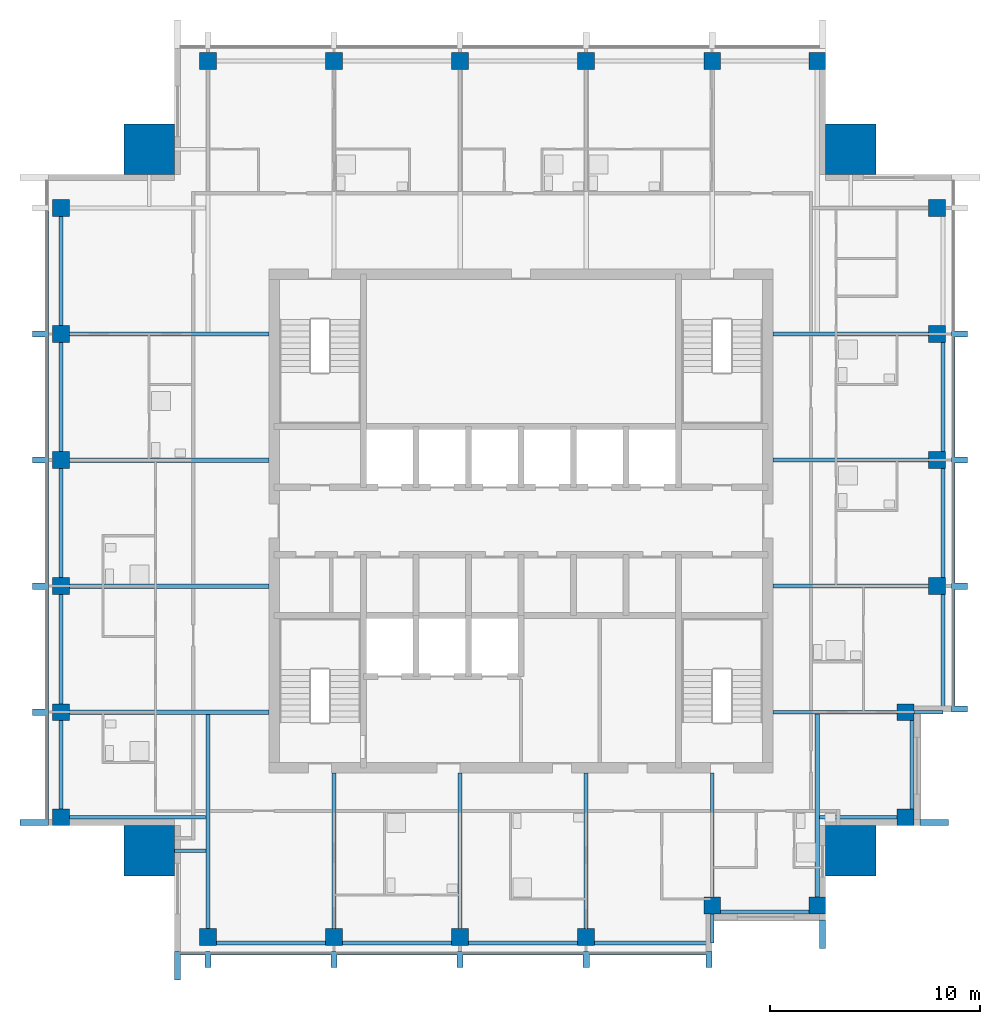
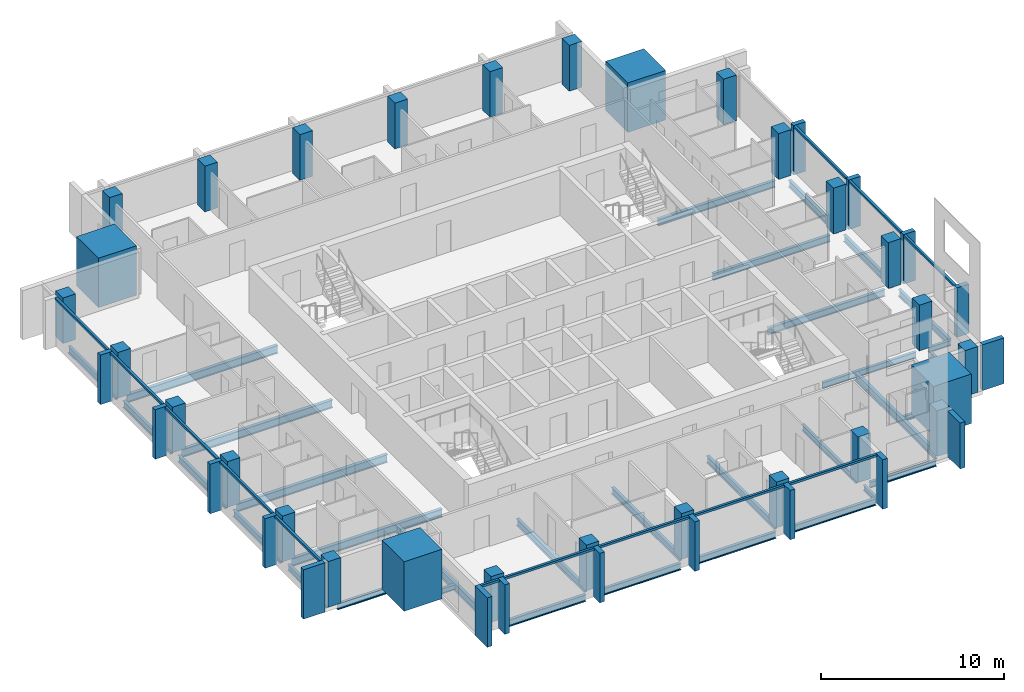
# One storey, part 1 of 9: 33 beams, 30 members, 28 columns, 3 elements without a shape of their own.
"""IFC4 building model written with IfcOpenShell, lengths in metres."""

from ifc_helpers import new_model, si_unit, direction, frame, origin, origin_2d, place, context, subcontext, project, spatial, rectangle, i_section, extrude, material, material_profile, profile_set, type_object, element, aggregate, save


model = new_model("IFC4")

# Units and contexts
model_context = context("Model", 3, precision=1e-05, world=origin(), true_north=direction((0.0, 1.0)))
body_context = subcontext(model_context, "Body", "Model", "MODEL_VIEW")
ifc_project = project(units=[si_unit("LENGTHUNIT", "METRE"), si_unit("AREAUNIT", "SQUARE_METRE"), si_unit("VOLUMEUNIT", "CUBIC_METRE"), si_unit("PLANEANGLEUNIT", "RADIAN"), si_unit("MASSUNIT", "GRAM", prefix="KILO")], contexts=[model_context])

# Site, building, storey
site_placement = place(None, origin())
site = spatial("IfcSite", under=ifc_project, at=site_placement, CompositionType="ELEMENT")
building_placement = place(site_placement, origin())
building = spatial("IfcBuilding", under=site, at=building_placement, Name="Amberfall Residences", CompositionType="ELEMENT")
storey_placement = place(building_placement, frame((0.0, 0.0, 258.699951171875)))
storey = spatial("IfcBuildingStorey", under=building, at=storey_placement, Name="L69", CompositionType="ELEMENT", Elevation=258.699951171875)

# Columns
ifc_material_1 = material(Name="Concrete C50", Category="concrete")
ifc_material_profile_1 = material_profile(ifc_material_1, rectangle(XDim=0.800048828125, YDim=0.800048828125, at=origin_2d()), Name="Column 800 x 800 C50")
ifc_profile_set_1 = profile_set([ifc_material_profile_1], Name="Concrete C50")
column_type_1 = type_object("IfcColumnType", Name="Column 800 x 800 C50", PredefinedType="COLUMN", material=ifc_profile_set_1)
for number, where, z_axis, x_axis, name in (
    (1, (59.60009765625, 25.699951171875, 0.0), (0.0, 0.0, 1.0), (1.0, 0.0, 0.0), "Column C5 L69 S1"),
    (2, (65.60009765625, 25.699951171875, 0.0), (0.0, 0.0, 1.0), (1.0, 0.0, 0.0), "Column C5 L69 S2"),
    (3, (71.60009765625, 25.699951171875, 0.0), (0.0, 0.0, 1.0), (1.0, 0.0, 0.0), "Column C5 L69 S3"),
    (4, (77.60009765625, 25.699951171875, 0.0), (0.0, 0.0, 1.0), (1.0, 0.0, 0.0), "Column C5 L69 S4"),
    (5, (83.60009765625, 27.199951171875, 0.0), (0.0, 0.0, 1.0), (1.0, 0.0, 0.0), "Column C5 L69 S5"),
    (6, (88.60009765625, 27.199951171875, 0.0), (0.0, 0.0, 1.0), (1.0, 0.0, 0.0), "Column C5 L69 S6"),
    (7, (92.800048828125, 31.39990234375, 0.0), (0.0, 0.0, 1.0), (1.0, 0.0, 0.0), "Column C5 L69 E1"),
    (8, (92.800048828125, 36.39990234375, 0.0), (0.0, 0.0, 1.0), (1.0, 0.0, 0.0), "Column C5 L69 E2"),
    (9, (94.300048828125, 42.39990234375, 0.0), (0.0, 0.0, 1.0), (1.0, 0.0, 0.0), "Column C5 L69 E3"),
    (10, (94.300048828125, 48.39990234375, 0.0), (0.0, 0.0, 1.0), (1.0, 0.0, 0.0), "Column C5 L69 E4"),
    (11, (94.300048828125, 54.39990234375, 0.0), (0.0, 0.0, 1.0), (1.0, 0.0, 0.0), "Column C5 L69 E5"),
    (12, (94.300048828125, 60.39990234375, 0.0), (0.0, 0.0, 1.0), (1.0, 0.0, 0.0), "Column C5 L69 E6"),
    (13, (59.60009765625, 67.39990234375, 0.0), (0.0, 0.0, 1.0), (1.0, 0.0, 0.0), "Column C5 L69 N1"),
    (14, (65.60009765625, 67.39990234375, 0.0), (0.0, 0.0, 1.0), (1.0, 0.0, 0.0), "Column C5 L69 N2"),
    (15, (71.60009765625, 67.39990234375, 0.0), (0.0, 0.0, 1.0), (1.0, 0.0, 0.0), "Column C5 L69 N3"),
    (16, (77.60009765625, 67.39990234375, 0.0), (0.0, 0.0, 1.0), (1.0, 0.0, 0.0), "Column C5 L69 N4"),
    (17, (83.60009765625, 67.39990234375, 0.0), (0.0, 0.0, 1.0), (1.0, 0.0, 0.0), "Column C5 L69 N5"),
    (18, (88.60009765625, 67.39990234375, 0.0), (0.0, 0.0, 1.0), (1.0, 0.0, 0.0), "Column C5 L69 N6"),
    (19, (52.60009765625, 31.39990234375, 0.0), (0.0, 0.0, 1.0), (1.0, 0.0, 0.0), "Column C5 L69 W1"),
    (20, (52.60009765625, 36.39990234375, 0.0), (0.0, 0.0, 1.0), (1.0, 0.0, 0.0), "Column C5 L69 W2"),
    (21, (52.60009765625, 42.39990234375, 0.0), (0.0, 0.0, 1.0), (1.0, 0.0, 0.0), "Column C5 L69 W3"),
    (22, (52.60009765625, 48.39990234375, 0.0), (0.0, 0.0, 1.0), (1.0, 0.0, 0.0), "Column C5 L69 W4"),
    (23, (52.60009765625, 54.39990234375, 0.0), (0.0, 0.0, 1.0), (1.0, 0.0, 0.0), "Column C5 L69 W5"),
    (24, (52.60009765625, 60.39990234375, 0.0), (0.0, 0.0, 1.0), (1.0, 0.0, 0.0), "Column C5 L69 W6"),
):
    element("IfcColumn", number, at=place(storey_placement, frame(where, z_axis=z_axis, x_axis=x_axis)), inside=storey, type_object=column_type_1, Name=name, PredefinedType="COLUMN", context=body_context, shape_type="SweptSolid", body=[
        extrude(rectangle(XDim=0.800048828125, YDim=0.800048828125, at=origin_2d()), origin(), (0.0, 0.0, 1.0), 3.050048828125),
    ])
ifc_material_profile_2 = material_profile(ifc_material_1, rectangle(XDim=2.39990234375, YDim=2.39990234375, at=origin_2d()), Name="Mega column 2400 x 2400 C50")
ifc_profile_set_2 = profile_set([ifc_material_profile_2], Name="Concrete C50")
column_type_2 = type_object("IfcColumnType", Name="Mega column 2400 x 2400 C50", PredefinedType="COLUMN", material=ifc_profile_set_2)
for number, where, z_axis, x_axis, name in (
    (25, (56.800048828125, 29.800048828125, 0.0), (0.0, 0.0, 1.0), (1.0, 0.0, 0.0), "Mega column MC11 L69 SW"),
    (26, (90.199951171875, 29.800048828125, 0.0), (0.0, 0.0, 1.0), (1.0, 0.0, 0.0), "Mega column MC11 L69 SE"),
    (27, (90.199951171875, 63.199951171875, 0.0), (0.0, 0.0, 1.0), (1.0, 0.0, 0.0), "Mega column MC11 L69 NE"),
    (28, (56.800048828125, 63.199951171875, 0.0), (0.0, 0.0, 1.0), (1.0, 0.0, 0.0), "Mega column MC11 L69 NW"),
):
    element("IfcColumn", number, at=place(storey_placement, frame(where, z_axis=z_axis, x_axis=x_axis)), inside=storey, type_object=column_type_2, Name=name, PredefinedType="COLUMN", context=body_context, shape_type="SweptSolid", body=[
        extrude(rectangle(XDim=2.39990234375, YDim=2.39990234375, at=origin_2d()), origin(), (0.0, 0.0, 1.0), 3.300048828125),
    ])

# Curtain wall, members
ifc_material_2 = material(Name="Bronze anodised aluminium and glass", Category="aluminium")
curtain_wall_type = type_object("IfcCurtainWallType", Name="Curtain wall CW1 tower unit", PredefinedType="USERDEFINED", material=ifc_material_2)
curtain_wall_1_placement = place(storey_placement, origin())
curtain_wall_1 = element("IfcCurtainWall", 29, at=curtain_wall_1_placement, inside=storey, type_object=curtain_wall_type, Name="Curtain wall L69 S S1", ObjectType="UNITISED CURTAIN WALL", PredefinedType="USERDEFINED")
ifc_material_3 = material(Name="Bronze anodised aluminium", Category="aluminium")
ifc_material_profile_3 = material_profile(ifc_material_3, rectangle(XDim=0.14990234375, YDim=0.14990234375, at=origin_2d()), Name="CW1 transom 150 x 150 bronze")
ifc_profile_set_3 = profile_set([ifc_material_profile_3], Name="Bronze anodised aluminium")
member_type_1 = type_object("IfcMemberType", Name="CW1 transom 150 x 150 bronze", PredefinedType="USERDEFINED", material=ifc_profile_set_3)
member_1_placement = place(storey_placement, frame((58.300048828125, 24.925048828125, 2.97509765625), z_axis=(1.0, 0.0, 0.0), x_axis=(0.0, 1.0, 0.0)))
member_1 = element("IfcMember", 30, at=member_1_placement, type_object=member_type_1, Name="CW1 transom 1.1", ObjectType="TRANSOM", PredefinedType="USERDEFINED", context=body_context, shape_type="SweptSolid", body=[
    extrude(rectangle(XDim=0.14990234375, YDim=0.14990234375, at=origin_2d()), origin(), (0.0, 0.0, 1.0), 1.14990234375),
])
member_2_placement = place(storey_placement, frame((59.75, 24.925048828125, 2.97509765625), z_axis=(1.0, 0.0, 0.0), x_axis=(0.0, 1.0, 0.0)))
member_2 = element("IfcMember", 31, at=member_2_placement, type_object=member_type_1, Name="CW1 transom 2.1", ObjectType="TRANSOM", PredefinedType="USERDEFINED", context=body_context, shape_type="SweptSolid", body=[
    extrude(rectangle(XDim=0.14990234375, YDim=0.14990234375, at=origin_2d()), origin(), (0.0, 0.0, 1.0), 5.699951171875),
])
member_3_placement = place(storey_placement, frame((65.75, 24.925048828125, 2.97509765625), z_axis=(1.0, 0.0, 0.0), x_axis=(0.0, 1.0, 0.0)))
member_3 = element("IfcMember", 32, at=member_3_placement, type_object=member_type_1, Name="CW1 transom 3.1", ObjectType="TRANSOM", PredefinedType="USERDEFINED", context=body_context, shape_type="SweptSolid", body=[
    extrude(rectangle(XDim=0.14990234375, YDim=0.14990234375, at=origin_2d()), origin(), (0.0, 0.0, 1.0), 5.699951171875),
])
member_4_placement = place(storey_placement, frame((71.75, 24.925048828125, 2.97509765625), z_axis=(1.0, 0.0, 0.0), x_axis=(0.0, 1.0, 0.0)))
member_4 = element("IfcMember", 33, at=member_4_placement, type_object=member_type_1, Name="CW1 transom 4.1", ObjectType="TRANSOM", PredefinedType="USERDEFINED", context=body_context, shape_type="SweptSolid", body=[
    extrude(rectangle(XDim=0.14990234375, YDim=0.14990234375, at=origin_2d()), origin(), (0.0, 0.0, 1.0), 5.699951171875),
])
member_5_placement = place(storey_placement, frame((77.75, 24.925048828125, 2.97509765625), z_axis=(1.0, 0.0, 0.0), x_axis=(0.0, 1.0, 0.0)))
member_5 = element("IfcMember", 34, at=member_5_placement, type_object=member_type_1, Name="CW1 transom 5.1", ObjectType="TRANSOM", PredefinedType="USERDEFINED", context=body_context, shape_type="SweptSolid", body=[
    extrude(rectangle(XDim=0.14990234375, YDim=0.14990234375, at=origin_2d()), origin(), (0.0, 0.0, 1.0), 5.550048828125),
])

curtain_wall_2_placement = place(storey_placement, origin())
curtain_wall_2 = element("IfcCurtainWall", 35, at=curtain_wall_2_placement, inside=storey, type_object=curtain_wall_type, Name="Curtain wall L69 E E3", ObjectType="UNITISED CURTAIN WALL", PredefinedType="USERDEFINED")
member_6_placement = place(storey_placement, frame((95.074951171875, 36.699951171875, 2.97509765625), z_axis=(0.0, 1.0, 0.0), x_axis=(-1.0, 0.0, 0.0)))
member_6 = element("IfcMember", 36, at=member_6_placement, type_object=member_type_1, Name="CW1 transom 1.1", ObjectType="TRANSOM", PredefinedType="USERDEFINED", context=body_context, shape_type="SweptSolid", body=[
    extrude(rectangle(XDim=0.14990234375, YDim=0.14990234375, at=origin_2d()), origin(), (0.0, 0.0, 1.0), 5.550048828125),
])
member_7_placement = place(storey_placement, frame((95.074951171875, 42.550048828125, 2.97509765625), z_axis=(0.0, 1.0, 0.0), x_axis=(-1.0, 0.0, 0.0)))
member_7 = element("IfcMember", 37, at=member_7_placement, type_object=member_type_1, Name="CW1 transom 2.1", ObjectType="TRANSOM", PredefinedType="USERDEFINED", context=body_context, shape_type="SweptSolid", body=[
    extrude(rectangle(XDim=0.14990234375, YDim=0.14990234375, at=origin_2d()), origin(), (0.0, 0.0, 1.0), 5.699951171875),
])
member_8_placement = place(storey_placement, frame((95.074951171875, 48.550048828125, 2.97509765625), z_axis=(0.0, 1.0, 0.0), x_axis=(-1.0, 0.0, 0.0)))
member_8 = element("IfcMember", 38, at=member_8_placement, type_object=member_type_1, Name="CW1 transom 3.1", ObjectType="TRANSOM", PredefinedType="USERDEFINED", context=body_context, shape_type="SweptSolid", body=[
    extrude(rectangle(XDim=0.14990234375, YDim=0.14990234375, at=origin_2d()), origin(), (0.0, 0.0, 1.0), 5.699951171875),
])

curtain_wall_3_placement = place(storey_placement, origin())
curtain_wall_3 = element("IfcCurtainWall", 39, at=curtain_wall_3_placement, inside=storey, type_object=curtain_wall_type, Name="Curtain wall L69 W W1", ObjectType="UNITISED CURTAIN WALL", PredefinedType="USERDEFINED")
member_9_placement = place(storey_placement, frame((51.925048828125, 60.25, 2.97509765625), z_axis=(0.0, -1.0, 0.0), x_axis=(1.0, 0.0, 0.0)))
member_9 = element("IfcMember", 40, at=member_9_placement, type_object=member_type_1, Name="CW1 transom 2.1", ObjectType="TRANSOM", PredefinedType="USERDEFINED", context=body_context, shape_type="SweptSolid", body=[
    extrude(rectangle(XDim=0.14990234375, YDim=0.14990234375, at=origin_2d()), origin(), (0.0, 0.0, 1.0), 5.699951171875),
])
member_10_placement = place(storey_placement, frame((51.925048828125, 54.25, 2.97509765625), z_axis=(0.0, -1.0, 0.0), x_axis=(1.0, 0.0, 0.0)))
member_10 = element("IfcMember", 41, at=member_10_placement, type_object=member_type_1, Name="CW1 transom 3.1", ObjectType="TRANSOM", PredefinedType="USERDEFINED", context=body_context, shape_type="SweptSolid", body=[
    extrude(rectangle(XDim=0.14990234375, YDim=0.14990234375, at=origin_2d()), origin(), (0.0, 0.0, 1.0), 5.699951171875),
])
member_11_placement = place(storey_placement, frame((51.925048828125, 48.25, 2.97509765625), z_axis=(0.0, -1.0, 0.0), x_axis=(1.0, 0.0, 0.0)))
member_11 = element("IfcMember", 42, at=member_11_placement, type_object=member_type_1, Name="CW1 transom 4.1", ObjectType="TRANSOM", PredefinedType="USERDEFINED", context=body_context, shape_type="SweptSolid", body=[
    extrude(rectangle(XDim=0.14990234375, YDim=0.14990234375, at=origin_2d()), origin(), (0.0, 0.0, 1.0), 5.699951171875),
])
member_12_placement = place(storey_placement, frame((51.925048828125, 42.25, 2.97509765625), z_axis=(0.0, -1.0, 0.0), x_axis=(1.0, 0.0, 0.0)))
member_12 = element("IfcMember", 43, at=member_12_placement, type_object=member_type_1, Name="CW1 transom 5.1", ObjectType="TRANSOM", PredefinedType="USERDEFINED", context=body_context, shape_type="SweptSolid", body=[
    extrude(rectangle(XDim=0.14990234375, YDim=0.14990234375, at=origin_2d()), origin(), (0.0, 0.0, 1.0), 5.699951171875),
])
member_13_placement = place(storey_placement, frame((51.925048828125, 36.25, 2.97509765625), z_axis=(0.0, -1.0, 0.0), x_axis=(1.0, 0.0, 0.0)))
member_13 = element("IfcMember", 44, at=member_13_placement, type_object=member_type_1, Name="CW1 transom 6.1", ObjectType="TRANSOM", PredefinedType="USERDEFINED", context=body_context, shape_type="SweptSolid", body=[
    extrude(rectangle(XDim=0.14990234375, YDim=0.14990234375, at=origin_2d()), origin(), (0.0, 0.0, 1.0), 4.949951171875),
])

# Beams
ifc_material_4 = material(Name="Steel S355", Category="steel")
ifc_material_profile_4 = material_profile(ifc_material_4, i_section(OverallWidth=0.171142578125, OverallDepth=0.351318359375, WebThickness=0.007080078125, FlangeThickness=0.009765625, FilletRadius=0.01025390625, at=origin_2d()), Name="UB 356x171x45")
ifc_profile_set_4 = profile_set([ifc_material_profile_4], Name="Steel S355")
beam_type_1 = type_object("IfcBeamType", Name="Cantilever girder UB 356x171x45", PredefinedType="BEAM", material=ifc_profile_set_4)
for number, where, z_axis, x_axis, name in (
    (45, (83.60009765625, 26.800048828125, -0.425537109375), (0.0, -1.0, 0.0), (1.0, 0.0, 0.0), "Cantilever girder B8 L69 06"),
    (46, (93.199951171875, 36.39990234375, -0.425537109375), (1.0, 0.0, 0.0), (0.0, 1.0, 0.0), "Cantilever girder B8 L69 18"),
):
    element("IfcBeam", number, at=place(storey_placement, frame(where, z_axis=z_axis, x_axis=x_axis)), inside=storey, type_object=beam_type_1, Name=name, PredefinedType="BEAM", context=body_context, shape_type="SweptSolid", body=[
        extrude(i_section(OverallWidth=0.171142578125, OverallDepth=0.351318359375, WebThickness=0.007080078125, FlangeThickness=0.009765625, FilletRadius=0.01025390625, at=origin_2d()), origin(), (0.0, 0.0, 1.0), 1.400146484375),
    ])

# Member
ifc_material_profile_5 = material_profile(ifc_material_3, rectangle(XDim=1.35009765625, YDim=0.300048828125, at=origin_2d()), Name="Corner fin 300 x 1350 bronze")
ifc_profile_set_5 = profile_set([ifc_material_profile_5], Name="Bronze anodised aluminium")
member_type_2 = type_object("IfcMemberType", Name="Corner fin 300 x 1350 bronze", PredefinedType="MULLION", material=ifc_profile_set_5)
member_14_placement = place(storey_placement, frame((58.14990234375, 24.324951171875, -0.25), z_axis=(0.0, 0.0, 1.0), x_axis=(0.0, 1.0, 0.0)))
member_14 = element("IfcMember", 47, at=member_14_placement, type_object=member_type_2, Name="CW FIN 1", PredefinedType="MULLION", context=body_context, shape_type="SweptSolid", body=[
    extrude(rectangle(XDim=1.35009765625, YDim=0.300048828125, at=origin_2d()), origin(), (0.0, 0.0, 1.0), 3.300048828125),
])

member_15_placement = place(storey_placement, frame((51.324951171875, 31.14990234375, -0.25), z_axis=(0.0, 0.0, 1.0), x_axis=(1.0, 0.0, 0.0)))
member_15 = element("IfcMember", 48, at=member_15_placement, type_object=member_type_2, Name="CW FIN 7", PredefinedType="MULLION", context=body_context, shape_type="SweptSolid", body=[
    extrude(rectangle(XDim=1.35009765625, YDim=0.300048828125, at=origin_2d()), origin(), (0.0, 0.0, 1.0), 3.300048828125),
])

# Beams
ifc_material_profile_6 = material_profile(ifc_material_4, i_section(OverallWidth=0.177734375, OverallDepth=0.402587890625, WebThickness=0.0078125, FlangeThickness=0.010986328125, FilletRadius=0.01025390625, at=origin_2d()), Name="UB 406x178x54")
ifc_profile_set_6 = profile_set([ifc_material_profile_6], Name="Steel S355")
beam_type_2 = type_object("IfcBeamType", Name="Edge beam UB 406x178x54", PredefinedType="SPANDREL", material=ifc_profile_set_6)
for number, where, z_axis, x_axis, name in (
    (49, (84.0, 26.89990234375, -0.451171875), (1.0, 0.0, 0.0), (0.0, 1.0, 0.0), "Edge beam B14 L69 05"),
    (50, (93.10009765625, 31.800048828125, -0.451171875), (0.0, 1.0, 0.0), (-1.0, 0.0, 0.0), "Edge beam B14 L69 13"),
    (51, (52.60009765625, 31.800048828125, -0.451171875), (0.0, 1.0, 0.0), (-1.0, 0.0, 0.0), "Edge beam B14 L69 36"),
):
    element("IfcBeam", number, at=place(storey_placement, frame(where, z_axis=z_axis, x_axis=x_axis)), inside=storey, type_object=beam_type_2, Name=name, PredefinedType="SPANDREL", context=body_context, shape_type="SweptSolid", body=[
        extrude(i_section(OverallWidth=0.177734375, OverallDepth=0.402587890625, WebThickness=0.0078125, FlangeThickness=0.010986328125, FilletRadius=0.01025390625, at=origin_2d()), origin(), (0.0, 0.0, 1.0), 4.199951171875),
    ])
ifc_material_profile_7 = material_profile(ifc_material_4, i_section(OverallWidth=0.18994140625, OverallDepth=0.453369140625, WebThickness=0.008544921875, FlangeThickness=0.0126953125, FilletRadius=0.01025390625, at=origin_2d()), Name="UB 457x191x67")
ifc_profile_set_7 = profile_set([ifc_material_profile_7], Name="Steel S355")
beam_type_3 = type_object("IfcBeamType", Name="Edge beam UB 457x191x67", PredefinedType="SPANDREL", material=ifc_profile_set_7)
for number, where, z_axis, x_axis, name in (
    (52, (60.0, 25.39990234375, -0.4765625), (1.0, 0.0, 0.0), (0.0, 1.0, 0.0), "Edge beam B1 L69 01"),
    (53, (66.0, 25.39990234375, -0.4765625), (1.0, 0.0, 0.0), (0.0, 1.0, 0.0), "Edge beam B1 L69 02"),
    (54, (72.0, 25.39990234375, -0.4765625), (1.0, 0.0, 0.0), (0.0, 1.0, 0.0), "Edge beam B1 L69 03"),
):
    element("IfcBeam", number, at=place(storey_placement, frame(where, z_axis=z_axis, x_axis=x_axis)), inside=storey, type_object=beam_type_3, Name=name, PredefinedType="SPANDREL", context=body_context, shape_type="SweptSolid", body=[
        extrude(i_section(OverallWidth=0.18994140625, OverallDepth=0.453369140625, WebThickness=0.008544921875, FlangeThickness=0.0126953125, FilletRadius=0.01025390625, at=origin_2d()), origin(), (0.0, 0.0, 1.0), 5.199951171875),
    ])
for number, where, z_axis, x_axis, name in (
    (55, (78.0, 25.39990234375, -0.4765625), (1.0, 0.0, 0.0), (0.0, 1.0, 0.0), "Edge beam B1 L69 04"),
    (56, (94.60009765625, 36.47998046875, -0.4765625), (0.0, 1.0, 0.0), (-1.0, 0.0, 0.0), "Edge beam B1 L69 14"),
):
    element("IfcBeam", number, at=place(storey_placement, frame(where, z_axis=z_axis, x_axis=x_axis)), inside=storey, type_object=beam_type_3, Name=name, PredefinedType="SPANDREL", context=body_context, shape_type="SweptSolid", body=[
        extrude(i_section(OverallWidth=0.18994140625, OverallDepth=0.453369140625, WebThickness=0.008544921875, FlangeThickness=0.0126953125, FilletRadius=0.01025390625, at=origin_2d()), origin(), (0.0, 0.0, 1.0), 5.52001953125),
    ])
for number, where, z_axis, x_axis, name in (
    (57, (94.60009765625, 42.800048828125, -0.4765625), (0.0, 1.0, 0.0), (-1.0, 0.0, 0.0), "Edge beam B1 L69 15"),
    (58, (94.60009765625, 48.800048828125, -0.4765625), (0.0, 1.0, 0.0), (-1.0, 0.0, 0.0), "Edge beam B1 L69 16"),
    (59, (52.60009765625, 36.800048828125, -0.4765625), (0.0, 1.0, 0.0), (-1.0, 0.0, 0.0), "Edge beam B1 L69 37"),
    (60, (52.60009765625, 42.800048828125, -0.4765625), (0.0, 1.0, 0.0), (-1.0, 0.0, 0.0), "Edge beam B1 L69 38"),
    (61, (52.60009765625, 48.800048828125, -0.4765625), (0.0, 1.0, 0.0), (-1.0, 0.0, 0.0), "Edge beam B1 L69 39"),
    (62, (52.60009765625, 54.800048828125, -0.4765625), (0.0, 1.0, 0.0), (-1.0, 0.0, 0.0), "Edge beam B1 L69 40"),
):
    element("IfcBeam", number, at=place(storey_placement, frame(where, z_axis=z_axis, x_axis=x_axis)), inside=storey, type_object=beam_type_3, Name=name, PredefinedType="SPANDREL", context=body_context, shape_type="SweptSolid", body=[
        extrude(i_section(OverallWidth=0.18994140625, OverallDepth=0.453369140625, WebThickness=0.008544921875, FlangeThickness=0.0126953125, FilletRadius=0.01025390625, at=origin_2d()), origin(), (0.0, 0.0, 1.0), 5.199951171875),
    ])

# Member
ifc_material_profile_8 = material_profile(ifc_material_3, rectangle(XDim=0.75, YDim=0.300048828125, at=origin_2d()), Name="Fin 300 x 750 bronze")
ifc_profile_set_8 = profile_set([ifc_material_profile_8], Name="Bronze anodised aluminium")
member_type_3 = type_object("IfcMemberType", Name="Fin 300 x 750 bronze", PredefinedType="MULLION", material=ifc_profile_set_8)
member_16_placement = place(storey_placement, frame((59.60009765625, 24.625, -0.25), z_axis=(0.0, 0.0, 1.0), x_axis=(0.0, 1.0, 0.0)))
member_16 = element("IfcMember", 63, at=member_16_placement, type_object=member_type_3, Name="CW FIN 2", PredefinedType="MULLION", context=body_context, shape_type="SweptSolid", body=[
    extrude(rectangle(XDim=0.75, YDim=0.300048828125, at=origin_2d()), origin(), (0.0, 0.0, 1.0), 3.300048828125),
])

member_17_placement = place(storey_placement, frame((65.60009765625, 24.625, -0.25), z_axis=(0.0, 0.0, 1.0), x_axis=(0.0, 1.0, 0.0)))
member_17 = element("IfcMember", 64, at=member_17_placement, type_object=member_type_3, Name="CW FIN 3", PredefinedType="MULLION", context=body_context, shape_type="SweptSolid", body=[
    extrude(rectangle(XDim=0.75, YDim=0.300048828125, at=origin_2d()), origin(), (0.0, 0.0, 1.0), 3.300048828125),
])

member_18_placement = place(storey_placement, frame((71.60009765625, 24.625, -0.25), z_axis=(0.0, 0.0, 1.0), x_axis=(0.0, 1.0, 0.0)))
member_18 = element("IfcMember", 65, at=member_18_placement, type_object=member_type_3, Name="CW FIN 4", PredefinedType="MULLION", context=body_context, shape_type="SweptSolid", body=[
    extrude(rectangle(XDim=0.75, YDim=0.300048828125, at=origin_2d()), origin(), (0.0, 0.0, 1.0), 3.300048828125),
])

member_19_placement = place(storey_placement, frame((77.60009765625, 24.625, -0.25), z_axis=(0.0, 0.0, 1.0), x_axis=(0.0, 1.0, 0.0)))
member_19 = element("IfcMember", 66, at=member_19_placement, type_object=member_type_3, Name="CW FIN 5", PredefinedType="MULLION", context=body_context, shape_type="SweptSolid", body=[
    extrude(rectangle(XDim=0.75, YDim=0.300048828125, at=origin_2d()), origin(), (0.0, 0.0, 1.0), 3.300048828125),
])

member_20_placement = place(storey_placement, frame((83.449951171875, 24.625, -0.25), z_axis=(0.0, 0.0, 1.0), x_axis=(0.0, 1.0, 0.0)))
member_20 = element("IfcMember", 67, at=member_20_placement, type_object=member_type_3, Name="CW FIN 6", PredefinedType="MULLION", context=body_context, shape_type="SweptSolid", body=[
    extrude(rectangle(XDim=0.75, YDim=0.300048828125, at=origin_2d()), origin(), (0.0, 0.0, 1.0), 3.300048828125),
])

aggregate(curtain_wall_1, [member_14, member_16, member_17, member_18, member_19, member_20, member_1, member_2, member_3, member_4, member_5])

member_21_placement = place(storey_placement, frame((95.375, 36.550048828125, -0.25), z_axis=(0.0, 0.0, 1.0), x_axis=(-1.0, 0.0, 0.0)))
member_21 = element("IfcMember", 68, at=member_21_placement, type_object=member_type_3, Name="CW FIN 1", PredefinedType="MULLION", context=body_context, shape_type="SweptSolid", body=[
    extrude(rectangle(XDim=0.75, YDim=0.300048828125, at=origin_2d()), origin(), (0.0, 0.0, 1.0), 3.300048828125),
])

member_22_placement = place(storey_placement, frame((95.375, 42.39990234375, -0.25), z_axis=(0.0, 0.0, 1.0), x_axis=(-1.0, 0.0, 0.0)))
member_22 = element("IfcMember", 69, at=member_22_placement, type_object=member_type_3, Name="CW FIN 2", PredefinedType="MULLION", context=body_context, shape_type="SweptSolid", body=[
    extrude(rectangle(XDim=0.75, YDim=0.300048828125, at=origin_2d()), origin(), (0.0, 0.0, 1.0), 3.300048828125),
])

member_23_placement = place(storey_placement, frame((95.375, 48.39990234375, -0.25), z_axis=(0.0, 0.0, 1.0), x_axis=(-1.0, 0.0, 0.0)))
member_23 = element("IfcMember", 70, at=member_23_placement, type_object=member_type_3, Name="CW FIN 3", PredefinedType="MULLION", context=body_context, shape_type="SweptSolid", body=[
    extrude(rectangle(XDim=0.75, YDim=0.300048828125, at=origin_2d()), origin(), (0.0, 0.0, 1.0), 3.300048828125),
])

member_24_placement = place(storey_placement, frame((95.375, 54.39990234375, -0.25), z_axis=(0.0, 0.0, 1.0), x_axis=(-1.0, 0.0, 0.0)))
member_24 = element("IfcMember", 71, at=member_24_placement, type_object=member_type_3, Name="CW FIN 4", PredefinedType="MULLION", context=body_context, shape_type="SweptSolid", body=[
    extrude(rectangle(XDim=0.75, YDim=0.300048828125, at=origin_2d()), origin(), (0.0, 0.0, 1.0), 3.300048828125),
])

aggregate(curtain_wall_2, [member_21, member_22, member_23, member_24, member_6, member_7, member_8])

member_25_placement = place(storey_placement, frame((51.625, 54.39990234375, -0.25), z_axis=(0.0, 0.0, 1.0), x_axis=(1.0, 0.0, 0.0)))
member_25 = element("IfcMember", 72, at=member_25_placement, type_object=member_type_3, Name="CW FIN 3", PredefinedType="MULLION", context=body_context, shape_type="SweptSolid", body=[
    extrude(rectangle(XDim=0.75, YDim=0.300048828125, at=origin_2d()), origin(), (0.0, 0.0, 1.0), 3.300048828125),
])

member_26_placement = place(storey_placement, frame((51.625, 48.39990234375, -0.25), z_axis=(0.0, 0.0, 1.0), x_axis=(1.0, 0.0, 0.0)))
member_26 = element("IfcMember", 73, at=member_26_placement, type_object=member_type_3, Name="CW FIN 4", PredefinedType="MULLION", context=body_context, shape_type="SweptSolid", body=[
    extrude(rectangle(XDim=0.75, YDim=0.300048828125, at=origin_2d()), origin(), (0.0, 0.0, 1.0), 3.300048828125),
])

member_27_placement = place(storey_placement, frame((51.625, 42.39990234375, -0.25), z_axis=(0.0, 0.0, 1.0), x_axis=(1.0, 0.0, 0.0)))
member_27 = element("IfcMember", 74, at=member_27_placement, type_object=member_type_3, Name="CW FIN 5", PredefinedType="MULLION", context=body_context, shape_type="SweptSolid", body=[
    extrude(rectangle(XDim=0.75, YDim=0.300048828125, at=origin_2d()), origin(), (0.0, 0.0, 1.0), 3.300048828125),
])

member_28_placement = place(storey_placement, frame((51.625, 36.39990234375, -0.25), z_axis=(0.0, 0.0, 1.0), x_axis=(1.0, 0.0, 0.0)))
member_28 = element("IfcMember", 75, at=member_28_placement, type_object=member_type_3, Name="CW FIN 6", PredefinedType="MULLION", context=body_context, shape_type="SweptSolid", body=[
    extrude(rectangle(XDim=0.75, YDim=0.300048828125, at=origin_2d()), origin(), (0.0, 0.0, 1.0), 3.300048828125),
])

aggregate(curtain_wall_3, [member_25, member_26, member_27, member_28, member_15, member_9, member_10, member_11, member_12, member_13])

# Beams
ifc_material_profile_9 = material_profile(ifc_material_4, i_section(OverallWidth=0.171142578125, OverallDepth=0.351318359375, WebThickness=0.007080078125, FlangeThickness=0.009765625, FilletRadius=0.01025390625, at=origin_2d()), Name="UB 356x171x45")
ifc_profile_set_9 = profile_set([ifc_material_profile_9], Name="Steel S355")
beam_type_4 = type_object("IfcBeamType", Name="Floor girder UB 356x171x45", PredefinedType="BEAM", material=ifc_profile_set_9)
beam_1_placement = place(storey_placement, frame((92.39990234375, 31.39990234375, -0.425537109375), z_axis=(-1.0, 0.0, 0.0), x_axis=(0.0, -1.0, 0.0)))
element("IfcBeam", 76, at=beam_1_placement, inside=storey, type_object=beam_type_4, Name="Floor girder B11 L69 19", PredefinedType="BEAM", context=body_context, shape_type="SweptSolid", body=[
    extrude(i_section(OverallWidth=0.171142578125, OverallDepth=0.351318359375, WebThickness=0.007080078125, FlangeThickness=0.009765625, FilletRadius=0.01025390625, at=origin_2d()), origin(), (0.0, 0.0, 1.0), 3.679931640625),
])
ifc_material_profile_10 = material_profile(ifc_material_4, i_section(OverallWidth=0.177734375, OverallDepth=0.402587890625, WebThickness=0.0078125, FlangeThickness=0.010986328125, FilletRadius=0.01025390625, at=origin_2d()), Name="UB 406x178x54")
ifc_profile_set_10 = profile_set([ifc_material_profile_10], Name="Steel S355")
beam_type_5 = type_object("IfcBeamType", Name="Floor girder UB 406x178x54", PredefinedType="BEAM", material=ifc_profile_set_10)
for number, where, z_axis, x_axis, name in (
    (77, (83.60009765625, 27.60009765625, -0.451171875), (0.0, 1.0, 0.0), (-1.0, 0.0, 0.0), "Floor girder B4 L69 11"),
    (78, (92.39990234375, 36.39990234375, -0.451171875), (-1.0, 0.0, 0.0), (0.0, -1.0, 0.0), "Floor girder B4 L69 20"),
):
    element("IfcBeam", number, at=place(storey_placement, frame(where, z_axis=z_axis, x_axis=x_axis)), inside=storey, type_object=beam_type_5, Name=name, PredefinedType="BEAM", context=body_context, shape_type="SweptSolid", body=[
        extrude(i_section(OverallWidth=0.177734375, OverallDepth=0.402587890625, WebThickness=0.0078125, FlangeThickness=0.010986328125, FilletRadius=0.01025390625, at=origin_2d()), origin(), (0.0, 0.0, 1.0), 5.89990234375),
    ])
beam_2_placement = place(storey_placement, frame((53.0, 31.39990234375, -0.451171875), z_axis=(1.0, 0.0, 0.0), x_axis=(0.0, 1.0, 0.0)))
element("IfcBeam", 79, at=beam_2_placement, inside=storey, type_object=beam_type_5, Name="Floor girder B4 L69 41", PredefinedType="BEAM", context=body_context, shape_type="SweptSolid", body=[
    extrude(i_section(OverallWidth=0.177734375, OverallDepth=0.402587890625, WebThickness=0.0078125, FlangeThickness=0.010986328125, FilletRadius=0.01025390625, at=origin_2d()), origin(), (0.0, 0.0, 1.0), 6.47998046875),
])
ifc_material_profile_11 = material_profile(ifc_material_4, i_section(OverallWidth=0.19140625, OverallDepth=0.4599609375, WebThickness=0.010009765625, FlangeThickness=0.01611328125, FilletRadius=0.01025390625, at=origin_2d()), Name="UB 457x191x82")
ifc_profile_set_11 = profile_set([ifc_material_profile_11], Name="Steel S355")
beam_type_6 = type_object("IfcBeamType", Name="Floor girder UB 457x191x82", PredefinedType="BEAM", material=ifc_profile_set_11)
for number, where, z_axis, x_axis, name in (
    (80, (65.60009765625, 26.10009765625, -0.47998046875), (0.0, 1.0, 0.0), (-1.0, 0.0, 0.0), "Floor girder B10 L69 08"),
    (81, (71.60009765625, 26.10009765625, -0.47998046875), (0.0, 1.0, 0.0), (-1.0, 0.0, 0.0), "Floor girder B10 L69 09"),
    (82, (77.60009765625, 26.10009765625, -0.47998046875), (0.0, 1.0, 0.0), (-1.0, 0.0, 0.0), "Floor girder B10 L69 10"),
    (83, (93.89990234375, 42.39990234375, -0.47998046875), (-1.0, 0.0, 0.0), (0.0, -1.0, 0.0), "Floor girder B10 L69 21"),
    (84, (93.89990234375, 48.39990234375, -0.47998046875), (-1.0, 0.0, 0.0), (0.0, -1.0, 0.0), "Floor girder B10 L69 22"),
    (85, (93.89990234375, 54.39990234375, -0.47998046875), (-1.0, 0.0, 0.0), (0.0, -1.0, 0.0), "Floor girder B10 L69 23"),
):
    element("IfcBeam", number, at=place(storey_placement, frame(where, z_axis=z_axis, x_axis=x_axis)), inside=storey, type_object=beam_type_6, Name=name, PredefinedType="BEAM", context=body_context, shape_type="SweptSolid", body=[
        extrude(i_section(OverallWidth=0.19140625, OverallDepth=0.4599609375, WebThickness=0.010009765625, FlangeThickness=0.01611328125, FilletRadius=0.01025390625, at=origin_2d()), origin(), (0.0, 0.0, 1.0), 7.39990234375),
    ])
ifc_material_profile_12 = material_profile(ifc_material_4, i_section(OverallWidth=0.209228515625, OverallDepth=0.533203125, WebThickness=0.010009765625, FlangeThickness=0.015625, FilletRadius=0.0126953125, at=origin_2d()), Name="UB 533x210x92")
ifc_profile_set_12 = profile_set([ifc_material_profile_12], Name="Steel S355")
beam_type_7 = type_object("IfcBeamType", Name="Floor girder UB 533x210x92", PredefinedType="BEAM", material=ifc_profile_set_12)
beam_3_placement = place(storey_placement, frame((59.60009765625, 26.10009765625, -0.5166015625), z_axis=(0.0, 1.0, 0.0), x_axis=(-1.0, 0.0, 0.0)))
element("IfcBeam", 86, at=beam_3_placement, inside=storey, type_object=beam_type_7, Name="Floor girder B3 L69 07", PredefinedType="BEAM", context=body_context, shape_type="SweptSolid", body=[
    extrude(i_section(OverallWidth=0.209228515625, OverallDepth=0.533203125, WebThickness=0.010009765625, FlangeThickness=0.015625, FilletRadius=0.0126953125, at=origin_2d()), origin(), (0.0, 0.0, 1.0), 10.2001953125),
])
beam_4_placement = place(storey_placement, frame((88.60009765625, 27.60009765625, -0.5166015625), z_axis=(0.0, 1.0, 0.0), x_axis=(-1.0, 0.0, 0.0)))
element("IfcBeam", 87, at=beam_4_placement, inside=storey, type_object=beam_type_7, Name="Floor girder B3 L69 12", PredefinedType="BEAM", context=body_context, shape_type="SweptSolid", body=[
    extrude(i_section(OverallWidth=0.209228515625, OverallDepth=0.533203125, WebThickness=0.010009765625, FlangeThickness=0.015625, FilletRadius=0.0126953125, at=origin_2d()), origin(), (0.0, 0.0, 1.0), 8.716064453125),
])
for number, where, z_axis, x_axis, name in (
    (88, (53.0, 36.39990234375, -0.5166015625), (1.0, 0.0, 0.0), (0.0, 1.0, 0.0), "Floor girder B3 L69 42"),
    (89, (53.0, 42.39990234375, -0.5166015625), (1.0, 0.0, 0.0), (0.0, 1.0, 0.0), "Floor girder B3 L69 43"),
    (90, (53.0, 48.39990234375, -0.5166015625), (1.0, 0.0, 0.0), (0.0, 1.0, 0.0), "Floor girder B3 L69 44"),
    (91, (53.0, 54.39990234375, -0.5166015625), (1.0, 0.0, 0.0), (0.0, 1.0, 0.0), "Floor girder B3 L69 45"),
):
    element("IfcBeam", number, at=place(storey_placement, frame(where, z_axis=z_axis, x_axis=x_axis)), inside=storey, type_object=beam_type_7, Name=name, PredefinedType="BEAM", context=body_context, shape_type="SweptSolid", body=[
        extrude(i_section(OverallWidth=0.209228515625, OverallDepth=0.533203125, WebThickness=0.010009765625, FlangeThickness=0.015625, FilletRadius=0.0126953125, at=origin_2d()), origin(), (0.0, 0.0, 1.0), 9.5),
    ])
ifc_material_profile_13 = material_profile(ifc_material_4, i_section(OverallWidth=0.171142578125, OverallDepth=0.351318359375, WebThickness=0.007080078125, FlangeThickness=0.009765625, FilletRadius=0.01025390625, at=origin_2d()), Name="UB 356x171x45")
ifc_profile_set_13 = profile_set([ifc_material_profile_13], Name="Steel S355")
beam_type_8 = type_object("IfcBeamType", Name="Link beam UB 356x171x45", PredefinedType="BEAM", material=ifc_profile_set_13)
beam_5_placement = place(storey_placement, frame((58.0, 29.800048828125, -0.425537109375), z_axis=(1.0, 0.0, 0.0), x_axis=(0.0, 1.0, 0.0)))
element("IfcBeam", 92, at=beam_5_placement, inside=storey, type_object=beam_type_8, Name="Link beam B7 L69 47", PredefinedType="BEAM", context=body_context, shape_type="SweptSolid", body=[
    extrude(i_section(OverallWidth=0.171142578125, OverallDepth=0.351318359375, WebThickness=0.007080078125, FlangeThickness=0.009765625, FilletRadius=0.01025390625, at=origin_2d()), origin(), (0.0, 0.0, 1.0), 1.50537109375),
])

# Members
ifc_material_profile_14 = material_profile(ifc_material_3, rectangle(XDim=1.35009765625, YDim=0.300048828125, at=origin_2d()), Name="Stone corner fin 300 x 1350 bronze")
ifc_profile_set_14 = profile_set([ifc_material_profile_14], Name="Bronze anodised aluminium")
member_type_4 = type_object("IfcMemberType", Name="Stone corner fin 300 x 1350 bronze", PredefinedType="MEMBER", material=ifc_profile_set_14)
for number, where, z_axis, x_axis, name in (
    (93, (88.85009765625, 25.824951171875, 0.0), (0.0, 0.0, 1.0), (0.0, 1.0, 0.0), "Corner fin S"),
    (94, (94.175048828125, 31.14990234375, 0.0), (0.0, 0.0, 1.0), (-1.0, 0.0, 0.0), "Corner fin E"),
):
    element("IfcMember", number, at=place(storey_placement, frame(where, z_axis=z_axis, x_axis=x_axis)), inside=storey, type_object=member_type_4, Name=name, PredefinedType="MEMBER", context=body_context, shape_type="SweptSolid", body=[
        extrude(rectangle(XDim=1.35009765625, YDim=0.300048828125, at=origin_2d()), origin(), (0.0, 0.0, 1.0), 3.050048828125),
    ])

save(model, "model.ifc")
